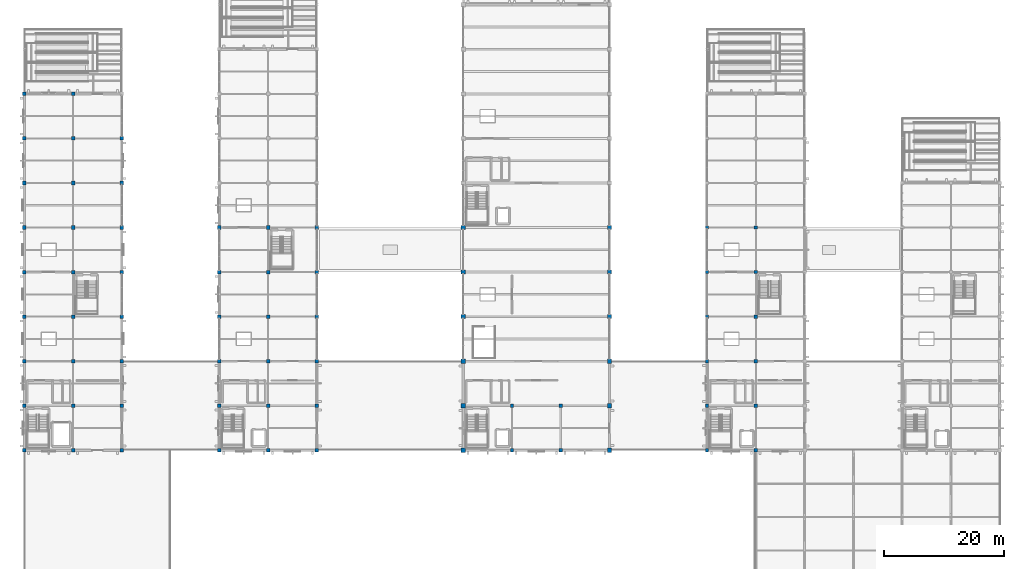
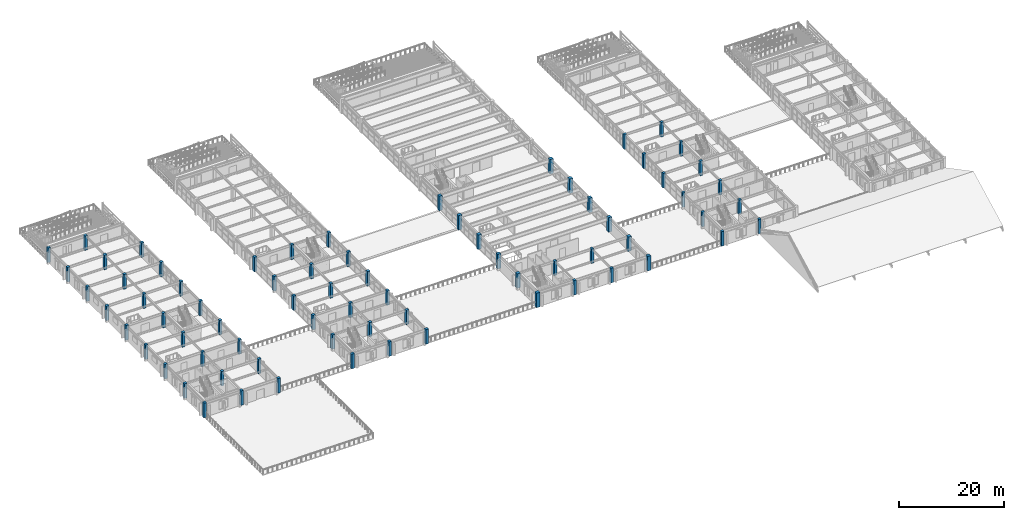
# One storey, part 1 of 121: 72 columns.
"""IFC4 building model written with IfcOpenShell, lengths in metres."""

from ifc_helpers import new_model, si_unit, direction, frame, origin, origin_2d, place, context, subcontext, project, spatial, rectangle, extrude, material, material_profile, profile_set, type_object, element, save


model = new_model("IFC4")

# Units and contexts
model_context = context("Model", 3, precision=1e-05, world=origin(), true_north=direction((0.0, 1.0)))
body_context = subcontext(model_context, "Body", "Model", "MODEL_VIEW")
ifc_project = project(units=[si_unit("LENGTHUNIT", "METRE"), si_unit("AREAUNIT", "SQUARE_METRE"), si_unit("VOLUMEUNIT", "CUBIC_METRE"), si_unit("PLANEANGLEUNIT", "RADIAN"), si_unit("MASSUNIT", "GRAM", prefix="KILO")], contexts=[model_context])

# Site, building, storey
site_placement = place(None, origin())
site = spatial("IfcSite", under=ifc_project, at=site_placement, CompositionType="ELEMENT")
building_placement = place(site_placement, origin())
building = spatial("IfcBuilding", under=site, at=building_placement, Name="Cimatlan Art Gallery", CompositionType="ELEMENT")
storey_placement = place(building_placement, frame((0.0, 0.0, 10.199951171875)))
storey = spatial("IfcBuildingStorey", under=building, at=storey_placement, Name="L02", CompositionType="ELEMENT", Elevation=10.199951171875)

# Columns
ifc_material = material(Name="Concrete C45/55", Category="concrete")
ifc_material_profile_1 = material_profile(ifc_material, rectangle(XDim=0.550048828125, YDim=0.550048828125, at=origin_2d()), Name="RC550X550")
ifc_profile_set_1 = profile_set([ifc_material_profile_1], Name="Concrete C45/55")
column_type_1 = type_object("IfcColumnType", Name="COL-RC-550", PredefinedType="COLUMN", material=ifc_profile_set_1)
for number, where, z_axis, x_axis, name in (
    (1, (83.0, 23.89990234375, 0.0), (0.0, 0.0, 1.0), (1.0, 0.0, 0.0), "COL-L02-10-03"),
    (2, (83.0, 31.300048828125, 0.0), (0.0, 0.0, 1.0), (1.0, 0.0, 0.0), "COL-L02-10-04"),
    (3, (91.10009765625, 23.89990234375, 0.0), (0.0, 0.0, 1.0), (1.0, 0.0, 0.0), "COL-L02-11-03"),
    (4, (91.10009765625, 31.300048828125, 0.0), (0.0, 0.0, 1.0), (1.0, 0.0, 0.0), "COL-L02-11-04"),
    (5, (115.39990234375, 23.89990234375, 0.0), (0.0, 0.0, 1.0), (1.0, 0.0, 0.0), "COL-L02-14-03"),
    (6, (115.39990234375, 31.300048828125, 0.0), (0.0, 0.0, 1.0), (1.0, 0.0, 0.0), "COL-L02-14-04"),
    (7, (115.39990234375, 38.699951171875, 0.0), (0.0, 0.0, 1.0), (1.0, 0.0, 0.0), "COL-L02-14-05"),
    (8, (115.39990234375, 46.10009765625, 0.0), (0.0, 0.0, 1.0), (1.0, 0.0, 0.0), "COL-L02-14-06"),
    (9, (115.39990234375, 53.5, 0.0), (0.0, 0.0, 1.0), (1.0, 0.0, 0.0), "COL-L02-14-07"),
    (10, (115.39990234375, 60.89990234375, 0.0), (0.0, 0.0, 1.0), (1.0, 0.0, 0.0), "COL-L02-14-08"),
    (11, (123.5, 23.89990234375, 0.0), (0.0, 0.0, 1.0), (1.0, 0.0, 0.0), "COL-L02-15-03"),
    (12, (123.5, 31.300048828125, 0.0), (0.0, 0.0, 1.0), (1.0, 0.0, 0.0), "COL-L02-15-04"),
    (13, (123.5, 38.699951171875, 0.0), (0.0, 0.0, 1.0), (1.0, 0.0, 0.0), "COL-L02-15-05"),
    (14, (123.5, 46.10009765625, 0.0), (0.0, 0.0, 1.0), (1.0, 0.0, 0.0), "COL-L02-15-06"),
    (15, (123.5, 53.5, 0.0), (0.0, 0.0, 1.0), (1.0, 0.0, 0.0), "COL-L02-15-07"),
    (16, (123.5, 60.89990234375, 0.0), (0.0, 0.0, 1.0), (1.0, 0.0, 0.0), "COL-L02-15-08"),
):
    element("IfcColumn", number, at=place(storey_placement, frame(where, z_axis=z_axis, x_axis=x_axis)), inside=storey, type_object=column_type_1, Name=name, PredefinedType="COLUMN", context=body_context, shape_type="SweptSolid", body=[
        extrude(rectangle(XDim=0.550048828125, YDim=0.550048828125, at=origin_2d()), origin(), (0.0, 0.0, 1.0), 3.3701171875),
    ])
ifc_material_profile_2 = material_profile(ifc_material, rectangle(XDim=0.60009765625, YDim=0.60009765625, at=origin_2d()), Name="RC600X600")
ifc_profile_set_2 = profile_set([ifc_material_profile_2], Name="Concrete C45/55")
column_type_2 = type_object("IfcColumnType", Name="COL-RC-600", PredefinedType="COLUMN", material=ifc_profile_set_2)
for number, where, z_axis, x_axis, name in (
    (17, (2.0, 23.89990234375, 0.0), (0.0, 0.0, 1.0), (1.0, 0.0, 0.0), "COL-L02-00-03"),
    (18, (2.0, 31.300048828125, 0.0), (0.0, 0.0, 1.0), (1.0, 0.0, 0.0), "COL-L02-00-04"),
    (19, (2.0, 38.699951171875, 0.0), (0.0, 0.0, 1.0), (1.0, 0.0, 0.0), "COL-L02-00-05"),
    (20, (2.0, 46.10009765625, 0.0), (0.0, 0.0, 1.0), (1.0, 0.0, 0.0), "COL-L02-00-06"),
    (21, (2.0, 53.5, 0.0), (0.0, 0.0, 1.0), (1.0, 0.0, 0.0), "COL-L02-00-07"),
    (22, (2.0, 60.89990234375, 0.0), (0.0, 0.0, 1.0), (1.0, 0.0, 0.0), "COL-L02-00-08"),
    (23, (2.0, 68.300048828125, 0.0), (0.0, 0.0, 1.0), (1.0, 0.0, 0.0), "COL-L02-00-09"),
    (24, (2.0, 75.699951171875, 0.0), (0.0, 0.0, 1.0), (1.0, 0.0, 0.0), "COL-L02-00-10"),
    (25, (2.0, 83.10009765625, 0.0), (0.0, 0.0, 1.0), (1.0, 0.0, 0.0), "COL-L02-00-11"),
    (26, (10.10009765625, 23.89990234375, 0.0), (0.0, 0.0, 1.0), (1.0, 0.0, 0.0), "COL-L02-01-03"),
    (27, (10.10009765625, 31.300048828125, 0.0), (0.0, 0.0, 1.0), (1.0, 0.0, 0.0), "COL-L02-01-04"),
    (28, (10.10009765625, 38.699951171875, 0.0), (0.0, 0.0, 1.0), (1.0, 0.0, 0.0), "COL-L02-01-05"),
    (29, (10.10009765625, 46.10009765625, 0.0), (0.0, 0.0, 1.0), (1.0, 0.0, 0.0), "COL-L02-01-06"),
    (30, (10.10009765625, 53.5, 0.0), (0.0, 0.0, 1.0), (1.0, 0.0, 0.0), "COL-L02-01-07"),
    (31, (10.10009765625, 60.89990234375, 0.0), (0.0, 0.0, 1.0), (1.0, 0.0, 0.0), "COL-L02-01-08"),
    (32, (10.10009765625, 68.300048828125, 0.0), (0.0, 0.0, 1.0), (1.0, 0.0, 0.0), "COL-L02-01-09"),
    (33, (10.10009765625, 75.699951171875, 0.0), (0.0, 0.0, 1.0), (1.0, 0.0, 0.0), "COL-L02-01-10"),
    (34, (10.10009765625, 83.10009765625, 0.0), (0.0, 0.0, 1.0), (1.0, 0.0, 0.0), "COL-L02-01-11"),
    (35, (18.199951171875, 23.89990234375, 0.0), (0.0, 0.0, 1.0), (1.0, 0.0, 0.0), "COL-L02-02-03"),
    (36, (18.199951171875, 31.300048828125, 0.0), (0.0, 0.0, 1.0), (1.0, 0.0, 0.0), "COL-L02-02-04"),
    (37, (18.199951171875, 38.699951171875, 0.0), (0.0, 0.0, 1.0), (1.0, 0.0, 0.0), "COL-L02-02-05"),
    (38, (18.199951171875, 46.10009765625, 0.0), (0.0, 0.0, 1.0), (1.0, 0.0, 0.0), "COL-L02-02-06"),
    (39, (18.199951171875, 53.5, 0.0), (0.0, 0.0, 1.0), (1.0, 0.0, 0.0), "COL-L02-02-07"),
    (40, (18.199951171875, 60.89990234375, 0.0), (0.0, 0.0, 1.0), (1.0, 0.0, 0.0), "COL-L02-02-08"),
    (41, (18.199951171875, 68.300048828125, 0.0), (0.0, 0.0, 1.0), (1.0, 0.0, 0.0), "COL-L02-02-09"),
    (42, (18.199951171875, 75.699951171875, 0.0), (0.0, 0.0, 1.0), (1.0, 0.0, 0.0), "COL-L02-02-10"),
    (43, (34.39990234375, 23.89990234375, 0.0), (0.0, 0.0, 1.0), (1.0, 0.0, 0.0), "COL-L02-04-03"),
    (44, (34.39990234375, 31.300048828125, 0.0), (0.0, 0.0, 1.0), (1.0, 0.0, 0.0), "COL-L02-04-04"),
    (45, (34.39990234375, 38.699951171875, 0.0), (0.0, 0.0, 1.0), (1.0, 0.0, 0.0), "COL-L02-04-05"),
    (46, (34.39990234375, 46.10009765625, 0.0), (0.0, 0.0, 1.0), (1.0, 0.0, 0.0), "COL-L02-04-06"),
    (47, (34.39990234375, 53.5, 0.0), (0.0, 0.0, 1.0), (1.0, 0.0, 0.0), "COL-L02-04-07"),
    (48, (34.39990234375, 60.89990234375, 0.0), (0.0, 0.0, 1.0), (1.0, 0.0, 0.0), "COL-L02-04-08"),
    (49, (42.5, 23.89990234375, 0.0), (0.0, 0.0, 1.0), (1.0, 0.0, 0.0), "COL-L02-05-03"),
    (50, (42.5, 31.300048828125, 0.0), (0.0, 0.0, 1.0), (1.0, 0.0, 0.0), "COL-L02-05-04"),
    (51, (42.5, 38.699951171875, 0.0), (0.0, 0.0, 1.0), (1.0, 0.0, 0.0), "COL-L02-05-05"),
    (52, (42.5, 46.10009765625, 0.0), (0.0, 0.0, 1.0), (1.0, 0.0, 0.0), "COL-L02-05-06"),
    (53, (42.5, 53.5, 0.0), (0.0, 0.0, 1.0), (1.0, 0.0, 0.0), "COL-L02-05-07"),
    (54, (42.5, 60.89990234375, 0.0), (0.0, 0.0, 1.0), (1.0, 0.0, 0.0), "COL-L02-05-08"),
    (55, (50.60009765625, 23.89990234375, 0.0), (0.0, 0.0, 1.0), (1.0, 0.0, 0.0), "COL-L02-06-03"),
    (56, (50.60009765625, 31.300048828125, 0.0), (0.0, 0.0, 1.0), (1.0, 0.0, 0.0), "COL-L02-06-04"),
    (57, (50.60009765625, 38.699951171875, 0.0), (0.0, 0.0, 1.0), (1.0, 0.0, 0.0), "COL-L02-06-05"),
    (58, (50.60009765625, 46.10009765625, 0.0), (0.0, 0.0, 1.0), (1.0, 0.0, 0.0), "COL-L02-06-06"),
    (59, (50.60009765625, 53.5, 0.0), (0.0, 0.0, 1.0), (1.0, 0.0, 0.0), "COL-L02-06-07"),
    (60, (50.60009765625, 60.89990234375, 0.0), (0.0, 0.0, 1.0), (1.0, 0.0, 0.0), "COL-L02-06-08"),
):
    element("IfcColumn", number, at=place(storey_placement, frame(where, z_axis=z_axis, x_axis=x_axis)), inside=storey, type_object=column_type_2, Name=name, PredefinedType="COLUMN", context=body_context, shape_type="SweptSolid", body=[
        extrude(rectangle(XDim=0.60009765625, YDim=0.60009765625, at=origin_2d()), origin(), (0.0, 0.0, 1.0), 3.3701171875),
    ])
ifc_material_profile_3 = material_profile(ifc_material, rectangle(XDim=0.699951171875, YDim=0.699951171875, at=origin_2d()), Name="RC700X700")
ifc_profile_set_3 = profile_set([ifc_material_profile_3], Name="Concrete C45/55")
column_type_3 = type_object("IfcColumnType", Name="COL-RC-700", PredefinedType="COLUMN", material=ifc_profile_set_3)
for number, where, z_axis, x_axis, name in (
    (61, (74.89990234375, 23.89990234375, 0.0), (0.0, 0.0, 1.0), (1.0, 0.0, 0.0), "COL-L02-09-03"),
    (62, (74.89990234375, 31.300048828125, 0.0), (0.0, 0.0, 1.0), (1.0, 0.0, 0.0), "COL-L02-09-04"),
    (63, (74.89990234375, 38.699951171875, 0.0), (0.0, 0.0, 1.0), (1.0, 0.0, 0.0), "COL-L02-09-05"),
    (64, (74.89990234375, 46.10009765625, 0.0), (0.0, 0.0, 1.0), (1.0, 0.0, 0.0), "COL-L02-09-06"),
    (65, (74.89990234375, 53.5, 0.0), (0.0, 0.0, 1.0), (1.0, 0.0, 0.0), "COL-L02-09-07"),
    (66, (74.89990234375, 60.89990234375, 0.0), (0.0, 0.0, 1.0), (1.0, 0.0, 0.0), "COL-L02-09-08"),
    (67, (99.199951171875, 23.89990234375, 0.0), (0.0, 0.0, 1.0), (1.0, 0.0, 0.0), "COL-L02-12-03"),
    (68, (99.199951171875, 31.300048828125, 0.0), (0.0, 0.0, 1.0), (1.0, 0.0, 0.0), "COL-L02-12-04"),
    (69, (99.199951171875, 38.699951171875, 0.0), (0.0, 0.0, 1.0), (1.0, 0.0, 0.0), "COL-L02-12-05"),
    (70, (99.199951171875, 46.10009765625, 0.0), (0.0, 0.0, 1.0), (1.0, 0.0, 0.0), "COL-L02-12-06"),
    (71, (99.199951171875, 53.5, 0.0), (0.0, 0.0, 1.0), (1.0, 0.0, 0.0), "COL-L02-12-07"),
    (72, (99.199951171875, 60.89990234375, 0.0), (0.0, 0.0, 1.0), (1.0, 0.0, 0.0), "COL-L02-12-08"),
):
    element("IfcColumn", number, at=place(storey_placement, frame(where, z_axis=z_axis, x_axis=x_axis)), inside=storey, type_object=column_type_3, Name=name, PredefinedType="COLUMN", context=body_context, shape_type="SweptSolid", body=[
        extrude(rectangle(XDim=0.699951171875, YDim=0.699951171875, at=origin_2d()), origin(), (0.0, 0.0, 1.0), 3.3701171875),
    ])

save(model, "model.ifc")
